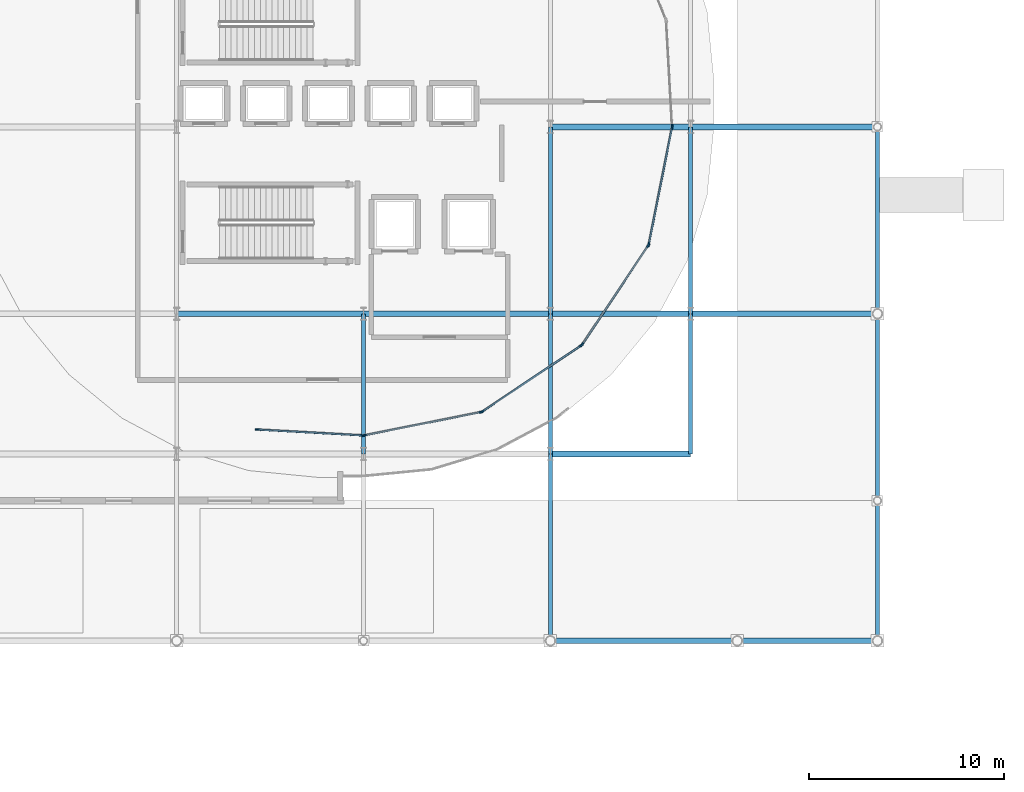
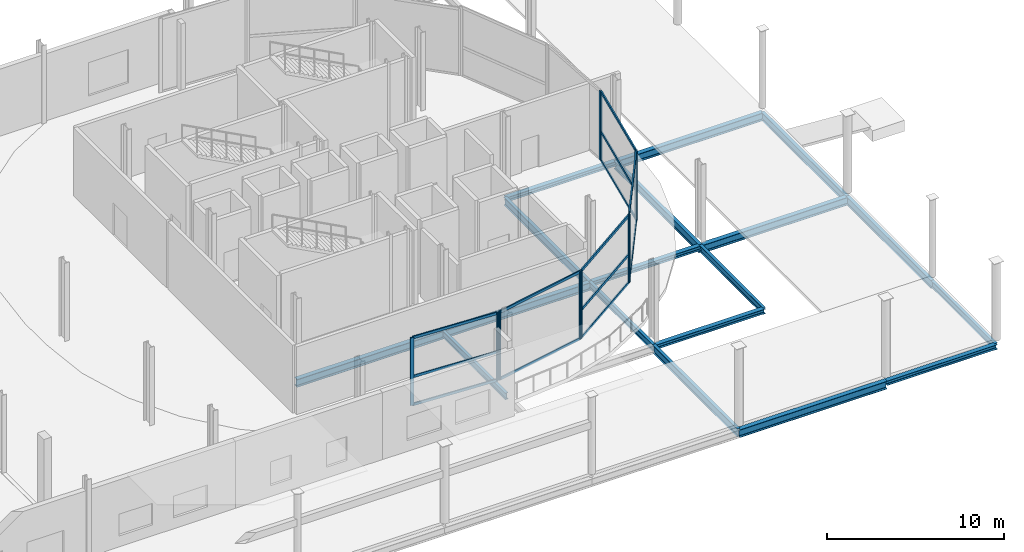
# One storey, part 43 of 84: 24 members, 18 beams, 6 elements without a shape of their own.
"""IFC4 building model written with IfcOpenShell, lengths in metres."""

from ifc_helpers import new_model, si_unit, direction, frame, origin, origin_2d, place, context, subcontext, project, spatial, rectangle, i_section, extrude, material, layer, layer_set, material_profile, profile_set, type_object, element, aggregate, save


model = new_model("IFC4")

# Units and contexts
model_context = context("Model", 3, precision=1e-05, world=origin(), true_north=direction((0.0, 1.0)))
body_context = subcontext(model_context, "Body", "Model", "MODEL_VIEW")
ifc_project = project(units=[si_unit("LENGTHUNIT", "METRE"), si_unit("AREAUNIT", "SQUARE_METRE"), si_unit("VOLUMEUNIT", "CUBIC_METRE"), si_unit("PLANEANGLEUNIT", "RADIAN"), si_unit("MASSUNIT", "GRAM", prefix="KILO")], contexts=[model_context])

# Site, building, storey
site_placement = place(None, origin())
site = spatial("IfcSite", under=ifc_project, at=site_placement, CompositionType="ELEMENT")
building_placement = place(site_placement, origin())
building = spatial("IfcBuilding", under=site, at=building_placement, Name="Zevrakil Square Congress Hotel", CompositionType="ELEMENT")
storey_placement = place(building_placement, origin())
storey = spatial("IfcBuildingStorey", under=building, at=storey_placement, Name="L01", CompositionType="ELEMENT", Elevation=0.0)

# Beams
ifc_material_1 = material(Name="Steel S355", Category="steel")
ifc_material_profile_1 = material_profile(ifc_material_1, i_section(OverallWidth=0.300048828125, OverallDepth=0.31005859375, WebThickness=0.009033203125, FlangeThickness=0.015380859375, FilletRadius=0.027099609375, at=origin_2d()), Name="HEA 320")
ifc_profile_set_1 = profile_set([ifc_material_profile_1], Name="Steel S355")
beam_type_1 = type_object("IfcBeamType", Name="BM-HEA320", PredefinedType="BEAM", material=ifc_profile_set_1)
for number, where, z_axis, x_axis, name in (
    (1, (165.60009765625, 0.0, -0.47509765625), (1.0, 0.0, 0.0), (0.0, 1.0, 0.0), "L01 primary girder BX-0277"),
    (2, (156.0, 9.60009765625, -0.47509765625), (1.0, 0.0, 0.0), (0.0, 1.0, 0.0), "L01 primary girder BX-0294"),
    (3, (156.0, 16.800048828125, -0.47509765625), (1.0, 0.0, 0.0), (0.0, 1.0, 0.0), "L01 primary girder BX-0312"),
    (4, (156.0, 26.39990234375, -0.47509765625), (1.0, 0.0, 0.0), (0.0, 1.0, 0.0), "L01 primary girder BX-0329"),
):
    element("IfcBeam", number, at=place(storey_placement, frame(where, z_axis=z_axis, x_axis=x_axis)), inside=storey, type_object=beam_type_1, Name=name, PredefinedType="BEAM", context=body_context, shape_type="SweptSolid", body=[
        extrude(i_section(OverallWidth=0.300048828125, OverallDepth=0.31005859375, WebThickness=0.009033203125, FlangeThickness=0.015380859375, FilletRadius=0.027099609375, at=origin_2d()), origin(), (0.0, 0.0, 1.0), 7.199951171875),
    ])
ifc_material_2 = material(Name="Steel S355", Category="steel")
ifc_material_profile_2 = material_profile(ifc_material_2, i_section(OverallWidth=0.300048828125, OverallDepth=0.5400390625, WebThickness=0.012451171875, FlangeThickness=0.02392578125, FilletRadius=0.027099609375, at=origin_2d()), Name="HEA 550")
ifc_profile_set_2 = profile_set([ifc_material_profile_2], Name="Steel S355")
beam_type_2 = type_object("IfcBeamType", Name="BM-HEA550", PredefinedType="BEAM", material=ifc_profile_set_2)
beam_1_placement = place(storey_placement, frame((156.0, 0.0, -0.590087890625), z_axis=(1.0, 0.0, 0.0), x_axis=(0.0, 1.0, 0.0)))
element("IfcBeam", 5, at=beam_1_placement, inside=storey, type_object=beam_type_2, Name="L01 primary girder BX-0276", PredefinedType="BEAM", context=body_context, shape_type="SweptSolid", body=[
    extrude(i_section(OverallWidth=0.300048828125, OverallDepth=0.5400390625, WebThickness=0.012451171875, FlangeThickness=0.02392578125, FilletRadius=0.027099609375, at=origin_2d()), origin(), (0.0, 0.0, 1.0), 9.60009765625),
])
beam_2_placement = place(storey_placement, frame((136.800048828125, 16.800048828125, -0.590087890625), z_axis=(1.0, 0.0, 0.0), x_axis=(0.0, 1.0, 0.0)))
element("IfcBeam", 6, at=beam_2_placement, inside=storey, type_object=beam_type_2, Name="L01 primary girder BX-0310", PredefinedType="BEAM", context=body_context, shape_type="SweptSolid", body=[
    extrude(i_section(OverallWidth=0.300048828125, OverallDepth=0.5400390625, WebThickness=0.012451171875, FlangeThickness=0.02392578125, FilletRadius=0.027099609375, at=origin_2d()), origin(), (0.0, 0.0, 1.0), 9.599853515625),
])
for number, where, z_axis, x_axis, name in (
    (7, (146.39990234375, 16.800048828125, -0.590087890625), (1.0, 0.0, 0.0), (0.0, 1.0, 0.0), "L01 primary girder BX-0311"),
    (8, (163.199951171875, 16.800048828125, -0.590087890625), (1.0, 0.0, 0.0), (0.0, 1.0, 0.0), "L01 primary girder BX-0313"),
    (9, (163.199951171875, 26.39990234375, -0.590087890625), (1.0, 0.0, 0.0), (0.0, 1.0, 0.0), "L01 primary girder BX-0330"),
):
    element("IfcBeam", number, at=place(storey_placement, frame(where, z_axis=z_axis, x_axis=x_axis)), inside=storey, type_object=beam_type_2, Name=name, PredefinedType="BEAM", context=body_context, shape_type="SweptSolid", body=[
        extrude(i_section(OverallWidth=0.300048828125, OverallDepth=0.5400390625, WebThickness=0.012451171875, FlangeThickness=0.02392578125, FilletRadius=0.027099609375, at=origin_2d()), origin(), (0.0, 0.0, 1.0), 9.60009765625),
    ])
ifc_material_3 = material(Name="Steel S355", Category="steel")
ifc_material_profile_3 = material_profile(ifc_material_3, i_section(OverallWidth=0.18994140625, OverallDepth=0.449951171875, WebThickness=0.009521484375, FlangeThickness=0.0146484375, FilletRadius=0.02099609375, at=origin_2d()), Name="IPE 450")
ifc_profile_set_3 = profile_set([ifc_material_profile_3], Name="Steel S355")
beam_type_3 = type_object("IfcBeamType", Name="BM-IPE450", PredefinedType="BEAM", material=ifc_profile_set_3)
for number, where, z_axis, x_axis, name in (
    (10, (146.39990234375, 9.60009765625, -0.544921875), (0.0, 1.0, 0.0), (-1.0, 0.0, 0.0), "L01 primary girder BY-0627"),
    (11, (156.0, 9.60009765625, -0.544921875), (0.0, 1.0, 0.0), (-1.0, 0.0, 0.0), "L01 primary girder BY-0630"),
    (12, (163.199951171875, 9.60009765625, -0.544921875), (0.0, 1.0, 0.0), (-1.0, 0.0, 0.0), "L01 primary girder BY-0635"),
    (13, (172.800048828125, 0.0, -0.544921875), (0.0, 1.0, 0.0), (-1.0, 0.0, 0.0), "L01 primary girder BY-0645"),
):
    element("IfcBeam", number, at=place(storey_placement, frame(where, z_axis=z_axis, x_axis=x_axis)), inside=storey, type_object=beam_type_3, Name=name, PredefinedType="BEAM", context=body_context, shape_type="SweptSolid", body=[
        extrude(i_section(OverallWidth=0.18994140625, OverallDepth=0.449951171875, WebThickness=0.009521484375, FlangeThickness=0.0146484375, FilletRadius=0.02099609375, at=origin_2d()), origin(), (0.0, 0.0, 1.0), 7.199951171875),
    ])
ifc_material_4 = material(Name="Steel S355", Category="steel")
ifc_material_profile_4 = material_profile(ifc_material_4, i_section(OverallWidth=0.2099609375, OverallDepth=0.550048828125, WebThickness=0.010986328125, FlangeThickness=0.01708984375, FilletRadius=0.02392578125, at=origin_2d()), Name="IPE 550")
ifc_profile_set_4 = profile_set([ifc_material_profile_4], Name="Steel S355")
beam_type_4 = type_object("IfcBeamType", Name="BM-IPE550", PredefinedType="BEAM", material=ifc_profile_set_4)
beam_3_placement = place(storey_placement, frame((156.0, 0.0, -0.594970703125), z_axis=(0.0, 1.0, 0.0), x_axis=(-1.0, 0.0, 0.0)))
element("IfcBeam", 14, at=beam_3_placement, inside=storey, type_object=beam_type_4, Name="L01 primary girder BY-0629", PredefinedType="BEAM", context=body_context, shape_type="SweptSolid", body=[
    extrude(i_section(OverallWidth=0.2099609375, OverallDepth=0.550048828125, WebThickness=0.010986328125, FlangeThickness=0.01708984375, FilletRadius=0.02392578125, at=origin_2d()), origin(), (0.0, 0.0, 1.0), 9.60009765625),
])
for number, where, z_axis, x_axis, name in (
    (15, (156.0, 16.800048828125, -0.594970703125), (0.0, 1.0, 0.0), (-1.0, 0.0, 0.0), "L01 primary girder BY-0631"),
    (16, (163.199951171875, 16.800048828125, -0.594970703125), (0.0, 1.0, 0.0), (-1.0, 0.0, 0.0), "L01 primary girder BY-0636"),
):
    element("IfcBeam", number, at=place(storey_placement, frame(where, z_axis=z_axis, x_axis=x_axis)), inside=storey, type_object=beam_type_4, Name=name, PredefinedType="BEAM", context=body_context, shape_type="SweptSolid", body=[
        extrude(i_section(OverallWidth=0.2099609375, OverallDepth=0.550048828125, WebThickness=0.010986328125, FlangeThickness=0.01708984375, FilletRadius=0.02392578125, at=origin_2d()), origin(), (0.0, 0.0, 1.0), 9.599853515625),
    ])
beam_4_placement = place(storey_placement, frame((172.800048828125, 7.199951171875, -0.594970703125), z_axis=(0.0, 1.0, 0.0), x_axis=(-1.0, 0.0, 0.0)))
element("IfcBeam", 17, at=beam_4_placement, inside=storey, type_object=beam_type_4, Name="L01 primary girder BY-0646", PredefinedType="BEAM", context=body_context, shape_type="SweptSolid", body=[
    extrude(i_section(OverallWidth=0.2099609375, OverallDepth=0.550048828125, WebThickness=0.010986328125, FlangeThickness=0.01708984375, FilletRadius=0.02392578125, at=origin_2d()), origin(), (0.0, 0.0, 1.0), 9.60009765625),
])
beam_5_placement = place(storey_placement, frame((172.800048828125, 16.800048828125, -0.594970703125), z_axis=(0.0, 1.0, 0.0), x_axis=(-1.0, 0.0, 0.0)))
element("IfcBeam", 18, at=beam_5_placement, inside=storey, type_object=beam_type_4, Name="L01 primary girder BY-0647", PredefinedType="BEAM", context=body_context, shape_type="SweptSolid", body=[
    extrude(i_section(OverallWidth=0.2099609375, OverallDepth=0.550048828125, WebThickness=0.010986328125, FlangeThickness=0.01708984375, FilletRadius=0.02392578125, at=origin_2d()), origin(), (0.0, 0.0, 1.0), 9.599853515625),
])

# Curtain wall, members
ifc_material_5 = material(Name="Aluminium Anodised Bronze", Category="aluminium")
ifc_layer_1 = layer(ifc_material_5, 0.179931640625)
ifc_layer_set_1 = layer_set([ifc_layer_1], Name="Aluminium Anodised Bronze")
curtain_wall_type_1 = type_object("IfcCurtainWallType", Name="CW-L01-640", PredefinedType="USERDEFINED", material=ifc_layer_set_1)
curtain_wall_1_placement = place(storey_placement, origin())
curtain_wall_1 = element("IfcCurtainWall", 19, at=curtain_wall_1_placement, inside=storey, type_object=curtain_wall_type_1, Name="L01 diamond curtain wall CW-L01-0143", ObjectType="GLAZED CURTAIN WALL", PredefinedType="USERDEFINED")
ifc_material_6 = material(Name="Aluminium Anodised Bronze", Category="aluminium")
ifc_material_profile_5 = material_profile(ifc_material_6, rectangle(XDim=0.0849609375, YDim=0.179931640625, at=origin_2d()), Name="ALU 85x180")
ifc_profile_set_5 = profile_set([ifc_material_profile_5], Name="Aluminium Anodised Bronze")
member_type_1 = type_object("IfcMemberType", Name="CWM-ALU85x180", PredefinedType="USERDEFINED", material=ifc_profile_set_5)
member_1_placement = place(storey_placement, frame((146.458740234375, 10.561767578125, 0.030029296875), z_axis=(0.980786066139, 0.195086371814, 0.0), x_axis=(-0.195086371814, 0.980786066139, 0.0)))
member_1 = element("IfcMember", 20, at=member_1_placement, type_object=member_type_1, Name="CW-09 transom 1.1", ObjectType="TRANSOM", PredefinedType="USERDEFINED", context=body_context, shape_type="SweptSolid", body=[
    extrude(rectangle(XDim=0.0849609375, YDim=0.179931640625, at=origin_2d()), origin(), (0.0, 0.0, 1.0), 6.064453125),
])
member_2_placement = place(storey_placement, frame((146.458740234375, 10.561767578125, 4.64501953125), z_axis=(0.980786066139, 0.195086371814, 0.0), x_axis=(-0.195086371814, 0.980786066139, 0.0)))
member_2 = element("IfcMember", 21, at=member_2_placement, type_object=member_type_1, Name="CW-09 transom 1.2", ObjectType="TRANSOM", PredefinedType="USERDEFINED", context=body_context, shape_type="SweptSolid", body=[
    extrude(rectangle(XDim=0.0849609375, YDim=0.179931640625, at=origin_2d()), origin(), (0.0, 0.0, 1.0), 6.064453125),
])

curtain_wall_2_placement = place(storey_placement, origin())
curtain_wall_2 = element("IfcCurtainWall", 22, at=curtain_wall_2_placement, inside=storey, type_object=curtain_wall_type_1, Name="L01 diamond curtain wall CW-L01-0144", ObjectType="GLAZED CURTAIN WALL", PredefinedType="USERDEFINED")
member_3_placement = place(storey_placement, frame((152.515380859375, 11.789794921875, 0.030029296875), z_axis=(0.831449032698, 0.55560103134, 0.0), x_axis=(-0.55560103134, 0.831449032698, 0.0)))
member_3 = element("IfcMember", 23, at=member_3_placement, type_object=member_type_1, Name="CW-09 transom 1.1", ObjectType="TRANSOM", PredefinedType="USERDEFINED", context=body_context, shape_type="SweptSolid", body=[
    extrude(rectangle(XDim=0.0849609375, YDim=0.179931640625, at=origin_2d()), origin(), (0.0, 0.0, 1.0), 6.064453125),
])
member_4_placement = place(storey_placement, frame((152.515380859375, 11.789794921875, 1.96337890625), z_axis=(0.831449032698, 0.55560103134, 0.0), x_axis=(-0.55560103134, 0.831449032698, 0.0)))
member_4 = element("IfcMember", 24, at=member_4_placement, type_object=member_type_1, Name="CW-09 transom 1.2", ObjectType="TRANSOM", PredefinedType="USERDEFINED", context=body_context, shape_type="SweptSolid", body=[
    extrude(rectangle(XDim=0.0849609375, YDim=0.179931640625, at=origin_2d()), origin(), (0.0, 0.0, 1.0), 6.064453125),
])
member_5_placement = place(storey_placement, frame((152.515380859375, 11.789794921875, 4.64501953125), z_axis=(0.831449032698, 0.55560103134, 0.0), x_axis=(-0.55560103134, 0.831449032698, 0.0)))
member_5 = element("IfcMember", 25, at=member_5_placement, type_object=member_type_1, Name="CW-09 transom 1.3", ObjectType="TRANSOM", PredefinedType="USERDEFINED", context=body_context, shape_type="SweptSolid", body=[
    extrude(rectangle(XDim=0.0849609375, YDim=0.179931640625, at=origin_2d()), origin(), (0.0, 0.0, 1.0), 6.064453125),
])

curtain_wall_3_placement = place(storey_placement, origin())
curtain_wall_3 = element("IfcCurtainWall", 26, at=curtain_wall_3_placement, inside=storey, type_object=curtain_wall_type_1, Name="L01 diamond curtain wall CW-L01-0145", ObjectType="GLAZED CURTAIN WALL", PredefinedType="USERDEFINED")
member_6_placement = place(storey_placement, frame((157.640869140625, 15.2421875, 0.030029296875), z_axis=(0.555582434469, 0.831461459425, 0.0), x_axis=(-0.831461459425, 0.555582434469, 0.0)))
member_6 = element("IfcMember", 27, at=member_6_placement, type_object=member_type_1, Name="CW-09 transom 1.1", ObjectType="TRANSOM", PredefinedType="USERDEFINED", context=body_context, shape_type="SweptSolid", body=[
    extrude(rectangle(XDim=0.0849609375, YDim=0.179931640625, at=origin_2d()), origin(), (0.0, 0.0, 1.0), 6.064697265625),
])
member_7_placement = place(storey_placement, frame((157.640869140625, 15.2421875, 4.7451171875), z_axis=(0.555582434469, 0.831461459425, 0.0), x_axis=(-0.831461459425, 0.555582434469, 0.0)))
member_7 = element("IfcMember", 28, at=member_7_placement, type_object=member_type_1, Name="CW-09 transom 1.2", ObjectType="TRANSOM", PredefinedType="USERDEFINED", context=body_context, shape_type="SweptSolid", body=[
    extrude(rectangle(XDim=0.0849609375, YDim=0.179931640625, at=origin_2d()), origin(), (0.0, 0.0, 1.0), 6.064697265625),
])

curtain_wall_4_placement = place(storey_placement, origin())
curtain_wall_4 = element("IfcCurtainWall", 29, at=curtain_wall_4_placement, inside=storey, type_object=curtain_wall_type_1, Name="L01 diamond curtain wall CW-L01-0146", ObjectType="GLAZED CURTAIN WALL", PredefinedType="USERDEFINED")
member_8_placement = place(storey_placement, frame((161.05517578125, 20.393310546875, 0.030029296875), z_axis=(0.195094074844, 0.980784533912, 0.0), x_axis=(-0.980784533912, 0.195094074844, 0.0)))
member_8 = element("IfcMember", 30, at=member_8_placement, type_object=member_type_1, Name="CW-09 transom 1.1", ObjectType="TRANSOM", PredefinedType="USERDEFINED", context=body_context, shape_type="SweptSolid", body=[
    extrude(rectangle(XDim=0.0849609375, YDim=0.179931640625, at=origin_2d()), origin(), (0.0, 0.0, 1.0), 6.064208984375),
])
member_9_placement = place(storey_placement, frame((161.05517578125, 20.393310546875, 2.005615234375), z_axis=(0.195094074844, 0.980784533912, 0.0), x_axis=(-0.980784533912, 0.195094074844, 0.0)))
member_9 = element("IfcMember", 31, at=member_9_placement, type_object=member_type_1, Name="CW-09 transom 1.2", ObjectType="TRANSOM", PredefinedType="USERDEFINED", context=body_context, shape_type="SweptSolid", body=[
    extrude(rectangle(XDim=0.0849609375, YDim=0.179931640625, at=origin_2d()), origin(), (0.0, 0.0, 1.0), 6.064208984375),
])
member_10_placement = place(storey_placement, frame((161.05517578125, 20.393310546875, 4.7451171875), z_axis=(0.195094074844, 0.980784533912, 0.0), x_axis=(-0.980784533912, 0.195094074844, 0.0)))
member_10 = element("IfcMember", 32, at=member_10_placement, type_object=member_type_1, Name="CW-09 transom 1.3", ObjectType="TRANSOM", PredefinedType="USERDEFINED", context=body_context, shape_type="SweptSolid", body=[
    extrude(rectangle(XDim=0.0849609375, YDim=0.179931640625, at=origin_2d()), origin(), (0.0, 0.0, 1.0), 6.064208984375),
])

ifc_material_7 = material(Name="Aluminium Anodised Bronze", Category="aluminium")
ifc_layer_2 = layer(ifc_material_7, 0.179931640625)
ifc_layer_set_2 = layer_set([ifc_layer_2], Name="Aluminium Anodised Bronze")
curtain_wall_type_2 = type_object("IfcCurtainWallType", Name="CW-L01-560", PredefinedType="USERDEFINED", material=ifc_layer_set_2)
curtain_wall_5_placement = place(storey_placement, origin())
curtain_wall_5 = element("IfcCurtainWall", 33, at=curtain_wall_5_placement, inside=storey, type_object=curtain_wall_type_2, Name="L01 diamond curtain wall CW-L01-0152", ObjectType="GLAZED CURTAIN WALL", PredefinedType="USERDEFINED")
member_11_placement = place(storey_placement, frame((140.9677734375, 10.851318359375, 0.030029296875), z_axis=(0.998464120467, -0.055402167284, 0.0), x_axis=(0.055402167284, 0.998464120467, 0.0)))
member_11 = element("IfcMember", 34, at=member_11_placement, type_object=member_type_1, Name="CW-08 transom 1.1", ObjectType="TRANSOM", PredefinedType="USERDEFINED", context=body_context, shape_type="SweptSolid", body=[
    extrude(rectangle(XDim=0.0849609375, YDim=0.179931640625, at=origin_2d()), origin(), (0.0, 0.0, 1.0), 5.380615234375),
])
member_12_placement = place(storey_placement, frame((140.9677734375, 10.851318359375, 1.96337890625), z_axis=(0.998464120467, -0.055402167284, 0.0), x_axis=(0.055402167284, 0.998464120467, 0.0)))
member_12 = element("IfcMember", 35, at=member_12_placement, type_object=member_type_1, Name="CW-08 transom 1.2", ObjectType="TRANSOM", PredefinedType="USERDEFINED", context=body_context, shape_type="SweptSolid", body=[
    extrude(rectangle(XDim=0.0849609375, YDim=0.179931640625, at=origin_2d()), origin(), (0.0, 0.0, 1.0), 5.380615234375),
])
member_13_placement = place(storey_placement, frame((140.9677734375, 10.851318359375, 4.64501953125), z_axis=(0.998464120467, -0.055402167284, 0.0), x_axis=(0.055402167284, 0.998464120467, 0.0)))
member_13 = element("IfcMember", 36, at=member_13_placement, type_object=member_type_1, Name="CW-08 transom 1.3", ObjectType="TRANSOM", PredefinedType="USERDEFINED", context=body_context, shape_type="SweptSolid", body=[
    extrude(rectangle(XDim=0.0849609375, YDim=0.179931640625, at=origin_2d()), origin(), (0.0, 0.0, 1.0), 5.380615234375),
])

# Member
ifc_material_8 = material(Name="Aluminium Anodised Bronze", Category="aluminium")
ifc_material_profile_6 = material_profile(ifc_material_8, rectangle(XDim=0.0849609375, YDim=0.219970703125, at=origin_2d()), Name="ALU 85x220")
ifc_profile_set_6 = profile_set([ifc_material_profile_6], Name="Aluminium Anodised Bronze")
member_type_2 = type_object("IfcMemberType", Name="CWM-ALU85x220", PredefinedType="MULLION", material=ifc_profile_set_6)
member_14_placement = place(storey_placement, frame((146.429443359375, 10.555908203125, 0.0), z_axis=(0.0, 0.0, 1.0), x_axis=(-0.195089860927, 0.980785372119, 0.0)))
member_14 = element("IfcMember", 37, at=member_14_placement, type_object=member_type_2, Name="CW-09 mullion 1", PredefinedType="MULLION", context=body_context, shape_type="SweptSolid", body=[
    extrude(rectangle(XDim=0.0849609375, YDim=0.219970703125, at=origin_2d()), origin(), (0.0, 0.0, 1.0), 4.675048828125),
])

member_15_placement = place(storey_placement, frame((152.43603515625, 11.750732421875, 0.0), z_axis=(0.0, 0.0, 1.0), x_axis=(-0.195089860927, 0.980785372119, 0.0)))
member_15 = element("IfcMember", 38, at=member_15_placement, type_object=member_type_2, Name="CW-09 mullion 2", PredefinedType="MULLION", context=body_context, shape_type="SweptSolid", body=[
    extrude(rectangle(XDim=0.0849609375, YDim=0.219970703125, at=origin_2d()), origin(), (0.0, 0.0, 1.0), 4.675048828125),
])

aggregate(curtain_wall_1, [member_14, member_15, member_1, member_2])

member_16_placement = place(storey_placement, frame((152.490478515625, 11.773193359375, 0.0), z_axis=(0.0, 0.0, 1.0), x_axis=(-0.555576786699, 0.831465233237, 0.0)))
member_16 = element("IfcMember", 39, at=member_16_placement, type_object=member_type_2, Name="CW-09 mullion 1", PredefinedType="MULLION", context=body_context, shape_type="SweptSolid", body=[
    extrude(rectangle(XDim=0.0849609375, YDim=0.219970703125, at=origin_2d()), origin(), (0.0, 0.0, 1.0), 4.675048828125),
])

member_17_placement = place(storey_placement, frame((157.582763671875, 15.17578125, 0.0), z_axis=(0.0, 0.0, 1.0), x_axis=(-0.555576786699, 0.831465233237, 0.0)))
member_17 = element("IfcMember", 40, at=member_17_placement, type_object=member_type_2, Name="CW-09 mullion 2", PredefinedType="MULLION", context=body_context, shape_type="SweptSolid", body=[
    extrude(rectangle(XDim=0.0849609375, YDim=0.219970703125, at=origin_2d()), origin(), (0.0, 0.0, 1.0), 4.675048828125),
])

aggregate(curtain_wall_2, [member_16, member_17, member_3, member_4, member_5])

member_18_placement = place(storey_placement, frame((157.624267578125, 15.21728515625, 0.0), z_axis=(0.0, 0.0, 1.0), x_axis=(-0.831465233237, 0.555576786699, 0.0)))
member_18 = element("IfcMember", 41, at=member_18_placement, type_object=member_type_2, Name="CW-09 mullion 1", PredefinedType="MULLION", context=body_context, shape_type="SweptSolid", body=[
    extrude(rectangle(XDim=0.0849609375, YDim=0.219970703125, at=origin_2d()), origin(), (0.0, 0.0, 1.0), 4.77490234375),
])

member_19_placement = place(storey_placement, frame((161.02685546875, 20.3095703125, 0.0), z_axis=(0.0, 0.0, 1.0), x_axis=(-0.831465233237, 0.555576786699, 0.0)))
member_19 = element("IfcMember", 42, at=member_19_placement, type_object=member_type_2, Name="CW-09 mullion 2", PredefinedType="MULLION", context=body_context, shape_type="SweptSolid", body=[
    extrude(rectangle(XDim=0.0849609375, YDim=0.219970703125, at=origin_2d()), origin(), (0.0, 0.0, 1.0), 4.77490234375),
])

aggregate(curtain_wall_3, [member_18, member_19, member_6, member_7])

member_20_placement = place(storey_placement, frame((161.04931640625, 20.364013671875, 0.0), z_axis=(0.0, 0.0, 1.0), x_axis=(-0.980785372119, 0.195089860927, 0.0)))
member_20 = element("IfcMember", 43, at=member_20_placement, type_object=member_type_2, Name="CW-09 mullion 1", PredefinedType="MULLION", context=body_context, shape_type="SweptSolid", body=[
    extrude(rectangle(XDim=0.0849609375, YDim=0.219970703125, at=origin_2d()), origin(), (0.0, 0.0, 1.0), 4.77490234375),
])

member_21_placement = place(storey_placement, frame((162.244140625, 26.37060546875, 0.0), z_axis=(0.0, 0.0, 1.0), x_axis=(-0.980785372119, 0.195089860927, 0.0)))
member_21 = element("IfcMember", 44, at=member_21_placement, type_object=member_type_2, Name="CW-09 mullion 2", PredefinedType="MULLION", context=body_context, shape_type="SweptSolid", body=[
    extrude(rectangle(XDim=0.0849609375, YDim=0.219970703125, at=origin_2d()), origin(), (0.0, 0.0, 1.0), 4.77490234375),
])

aggregate(curtain_wall_4, [member_20, member_21, member_8, member_9, member_10])

# Curtain wall, member
curtain_wall_6_placement = place(storey_placement, origin())
curtain_wall_6 = element("IfcCurtainWall", 45, at=curtain_wall_6_placement, inside=storey, type_object=curtain_wall_type_2, Name="L01 diamond curtain wall CW-L01-0147", ObjectType="GLAZED CURTAIN WALL", PredefinedType="USERDEFINED")
member_22_placement = place(storey_placement, frame((162.248291015625, 26.429931640625, 0.0), z_axis=(0.0, 0.0, 1.0), x_axis=(-0.998465606848, -0.055375373052, 0.0)))
member_22 = element("IfcMember", 46, at=member_22_placement, type_object=member_type_2, Name="CW-08 mullion 1", PredefinedType="MULLION", context=body_context, shape_type="SweptSolid", body=[
    extrude(rectangle(XDim=0.0849609375, YDim=0.219970703125, at=origin_2d()), origin(), (0.0, 0.0, 1.0), 4.77490234375),
])
aggregate(curtain_wall_6, [member_22])

# Member
member_23_placement = place(storey_placement, frame((140.937744140625, 10.85302734375, 0.0), z_axis=(0.0, 0.0, 1.0), x_axis=(0.055375373052, 0.998465606848, 0.0)))
member_23 = element("IfcMember", 47, at=member_23_placement, type_object=member_type_2, Name="CW-08 mullion 1", PredefinedType="MULLION", context=body_context, shape_type="SweptSolid", body=[
    extrude(rectangle(XDim=0.0849609375, YDim=0.219970703125, at=origin_2d()), origin(), (0.0, 0.0, 1.0), 4.675048828125),
])

member_24_placement = place(storey_placement, frame((146.3701171875, 10.5517578125, 0.0), z_axis=(0.0, 0.0, 1.0), x_axis=(0.055375373052, 0.998465606848, 0.0)))
member_24 = element("IfcMember", 48, at=member_24_placement, type_object=member_type_2, Name="CW-08 mullion 2", PredefinedType="MULLION", context=body_context, shape_type="SweptSolid", body=[
    extrude(rectangle(XDim=0.0849609375, YDim=0.219970703125, at=origin_2d()), origin(), (0.0, 0.0, 1.0), 4.675048828125),
])

aggregate(curtain_wall_5, [member_23, member_24, member_11, member_12, member_13])

save(model, "model.ifc")
